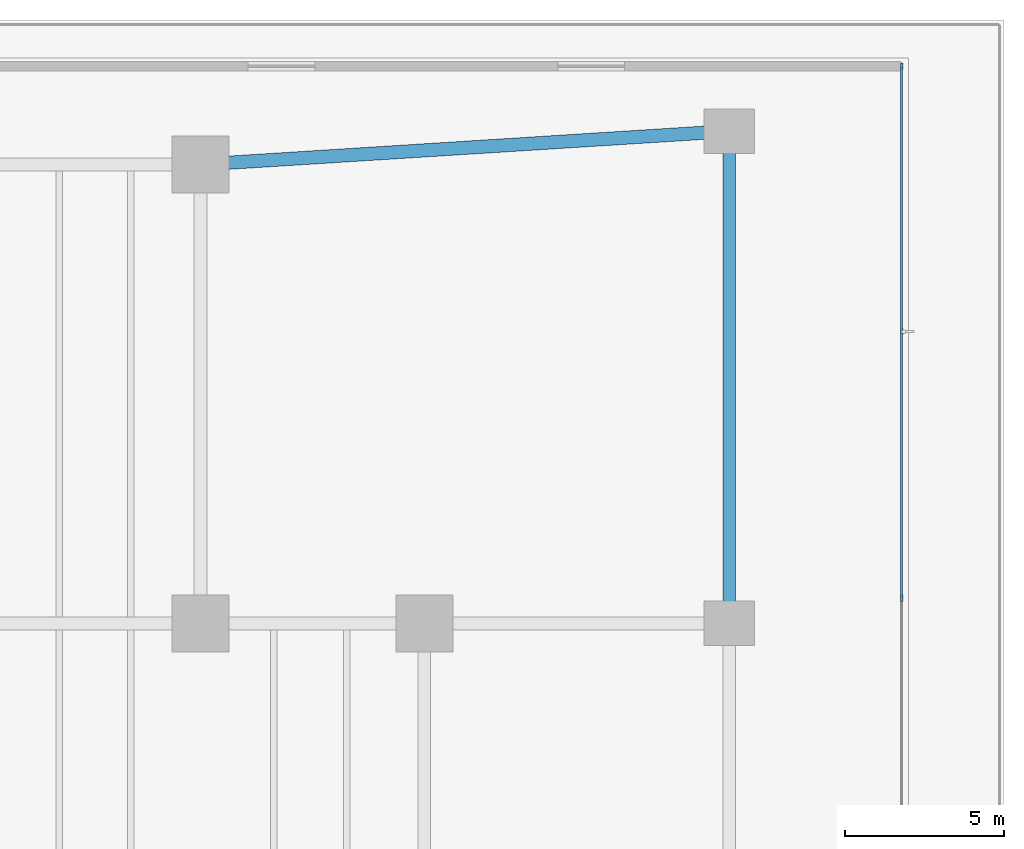
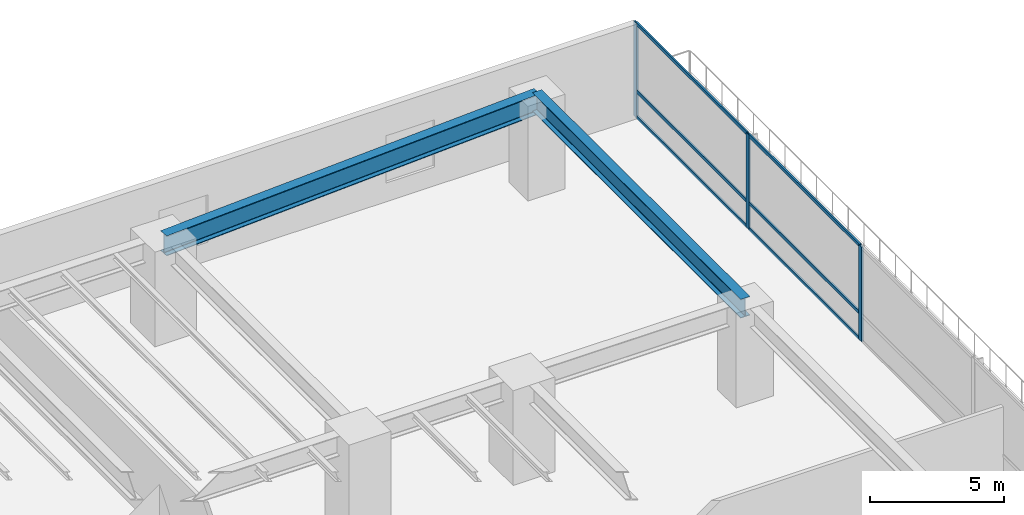
# One storey, part 8 of 27: 9 members, 2 beams, 1 element without a shape of its own.
"""IFC4 building model written with IfcOpenShell, lengths in metres."""

from ifc_helpers import new_model, si_unit, direction, frame, origin, origin_2d, place, context, subcontext, project, spatial, rectangle, i_section, extrude, material, layer, layer_set, material_profile, profile_set, type_object, element, aggregate, save


model = new_model("IFC4")

# Units and contexts
model_context = context("Model", 3, precision=1e-05, world=origin(), true_north=direction((0.0, 1.0)))
body_context = subcontext(model_context, "Body", "Model", "MODEL_VIEW")
ifc_project = project(units=[si_unit("LENGTHUNIT", "METRE"), si_unit("AREAUNIT", "SQUARE_METRE"), si_unit("VOLUMEUNIT", "CUBIC_METRE"), si_unit("PLANEANGLEUNIT", "RADIAN"), si_unit("MASSUNIT", "GRAM", prefix="KILO")], contexts=[model_context])

# Site, building, storey
site_placement = place(None, origin())
site = spatial("IfcSite", under=ifc_project, at=site_placement, CompositionType="ELEMENT")
building_placement = place(site_placement, origin())
building = spatial("IfcBuilding", under=site, at=building_placement, Name="Qalmaran Belvedere Hotel", CompositionType="ELEMENT")
storey_placement = place(building_placement, frame((0.0, 0.0, 5.39990234375)))
storey = spatial("IfcBuildingStorey", under=building, at=storey_placement, Name="L01", CompositionType="ELEMENT", Elevation=5.39990234375)

# Beams
ifc_material_1 = material(Name="Steel S355JR", Category="steel")
ifc_material_profile_1 = material_profile(ifc_material_1, i_section(OverallWidth=0.41796875, OverallDepth=0.912109375, WebThickness=0.019287109375, FlangeThickness=0.031982421875, FilletRadius=0.02392578125, at=origin_2d()), Name="W920X342")
ifc_profile_set_1 = profile_set([ifc_material_profile_1], Name="Steel S355JR")
beam_type_1 = type_object("IfcBeamType", Name="BM-PG2-W920X342", PredefinedType="USERDEFINED", material=ifc_profile_set_1)
beam_1_placement = place(storey_placement, frame((53.699951171875, 47.449951171875, 3.843994140625), z_axis=(0.998017287437, 0.0629404002, 0.0), x_axis=(-0.0629404002, 0.998017287437, 0.0)))
element("IfcBeam", 1, at=beam_1_placement, inside=storey, type_object=beam_type_1, Name="L01 Podium Primary Girder GX31", ObjectType="GIRDER", PredefinedType="USERDEFINED", context=body_context, shape_type="SweptSolid", body=[
    extrude(i_section(OverallWidth=0.41796875, OverallDepth=0.912109375, WebThickness=0.019287109375, FlangeThickness=0.031982421875, FilletRadius=0.02392578125, at=origin_2d()), origin(), (0.0, 0.0, 1.0), 16.68310546875),
])
ifc_material_profile_2 = material_profile(ifc_material_1, i_section(OverallWidth=0.39990234375, OverallDepth=0.85498046875, WebThickness=0.018310546875, FlangeThickness=0.029296875, FilletRadius=0.02392578125, at=origin_2d()), Name="W840X299")
ifc_profile_set_2 = profile_set([ifc_material_profile_2], Name="Steel S355JR")
beam_type_2 = type_object("IfcBeamType", Name="BM-PG3-W840X299", PredefinedType="USERDEFINED", material=ifc_profile_set_2)
beam_2_placement = place(storey_placement, frame((70.35009765625, 33.0, 3.87255859375), z_axis=(0.0, 1.0, 0.0), x_axis=(-1.0, 0.0, 0.0)))
element("IfcBeam", 2, at=beam_2_placement, inside=storey, type_object=beam_type_2, Name="L01 Podium Transverse Girder GY57", ObjectType="GIRDER", PredefinedType="USERDEFINED", context=body_context, shape_type="SweptSolid", body=[
    extrude(i_section(OverallWidth=0.39990234375, OverallDepth=0.85498046875, WebThickness=0.018310546875, FlangeThickness=0.029296875, FilletRadius=0.02392578125, at=origin_2d()), origin(), (0.0, 0.0, 1.0), 15.5),
])

# Curtain wall, members
ifc_material_2 = material(Name="Anodised Bronze Aluminium", Category="aluminium")
ifc_layer = layer(ifc_material_2, 0.219970703125, Name="Anodised Bronze Aluminium")
ifc_layer_set = layer_set([ifc_layer], Name="Anodised Bronze Aluminium")
curtain_wall_type = type_object("IfcCurtainWallType", Name="CW1-PODIUM-BRONZE", PredefinedType="NOTDEFINED", material=ifc_layer_set)
curtain_wall_placement = place(storey_placement, origin())
curtain_wall = element("IfcCurtainWall", 3, at=curtain_wall_placement, inside=storey, type_object=curtain_wall_type, Name="L01 Curtain Wall CW1", PredefinedType="NOTDEFINED")
ifc_material_profile_3 = material_profile(ifc_material_2, rectangle(XDim=0.074951171875, YDim=0.219970703125, at=origin_2d()), Name="CWM75X220")
ifc_profile_set_3 = profile_set([ifc_material_profile_3], Name="Anodised Bronze Aluminium")
member_type_1 = type_object("IfcMemberType", Name="CWM-75X220", PredefinedType="MULLION", material=ifc_profile_set_3)
member_1_placement = place(storey_placement, frame((75.780029296875, 33.793212890625, 0.0), z_axis=(0.0, 0.0, 1.0), x_axis=(-1.0, 0.0, 0.0)))
member_1 = element("IfcMember", 4, at=member_1_placement, type_object=member_type_1, Name="CW1 mullion 5", PredefinedType="MULLION", context=body_context, shape_type="SweptSolid", body=[
    extrude(rectangle(XDim=0.074951171875, YDim=0.219970703125, at=origin_2d()), origin(), (0.0, 0.0, 1.0), 4.300048828125),
])
member_2_placement = place(storey_placement, frame((75.780029296875, 42.186767578125, 0.0), z_axis=(0.0, 0.0, 1.0), x_axis=(-1.0, 0.0, 0.0)))
member_2 = element("IfcMember", 5, at=member_2_placement, type_object=member_type_1, Name="CW1 mullion 6", PredefinedType="MULLION", context=body_context, shape_type="SweptSolid", body=[
    extrude(rectangle(XDim=0.074951171875, YDim=0.219970703125, at=origin_2d()), origin(), (0.0, 0.0, 1.0), 4.300048828125),
])
member_3_placement = place(storey_placement, frame((75.780029296875, 50.54248046875, 0.0), z_axis=(0.0, 0.0, 1.0), x_axis=(-1.0, 0.0, 0.0)))
member_3 = element("IfcMember", 6, at=member_3_placement, type_object=member_type_1, Name="CW1 mullion 7", PredefinedType="MULLION", context=body_context, shape_type="SweptSolid", body=[
    extrude(rectangle(XDim=0.074951171875, YDim=0.219970703125, at=origin_2d()), origin(), (0.0, 0.0, 1.0), 4.300048828125),
])
ifc_material_profile_4 = material_profile(ifc_material_2, rectangle(XDim=0.070068359375, YDim=0.14990234375, at=origin_2d()), Name="CWT70X150")
ifc_profile_set_4 = profile_set([ifc_material_profile_4], Name="Anodised Bronze Aluminium")
member_type_2 = type_object("IfcMemberType", Name="CWT-70X150", PredefinedType="USERDEFINED", material=ifc_profile_set_4)
member_4_placement = place(storey_placement, frame((75.780029296875, 33.830810546875, 0.03515625), z_axis=(0.0, 1.0, 0.0), x_axis=(-1.0, 0.0, 0.0)))
member_4 = element("IfcMember", 7, at=member_4_placement, type_object=member_type_2, Name="CW1 transom 5.1", ObjectType="TRANSOM", PredefinedType="USERDEFINED", context=body_context, shape_type="SweptSolid", body=[
    extrude(rectangle(XDim=0.070068359375, YDim=0.14990234375, at=origin_2d()), origin(), (0.0, 0.0, 1.0), 8.318359375),
])
member_5_placement = place(storey_placement, frame((75.780029296875, 33.830810546875, 1.2041015625), z_axis=(0.0, 1.0, 0.0), x_axis=(-1.0, 0.0, 0.0)))
member_5 = element("IfcMember", 8, at=member_5_placement, type_object=member_type_2, Name="CW1 transom 5.2", ObjectType="TRANSOM", PredefinedType="USERDEFINED", context=body_context, shape_type="SweptSolid", body=[
    extrude(rectangle(XDim=0.070068359375, YDim=0.14990234375, at=origin_2d()), origin(), (0.0, 0.0, 1.0), 8.318359375),
])
member_6_placement = place(storey_placement, frame((75.780029296875, 33.830810546875, 4.26513671875), z_axis=(0.0, 1.0, 0.0), x_axis=(-1.0, 0.0, 0.0)))
member_6 = element("IfcMember", 9, at=member_6_placement, type_object=member_type_2, Name="CW1 transom 5.3", ObjectType="TRANSOM", PredefinedType="USERDEFINED", context=body_context, shape_type="SweptSolid", body=[
    extrude(rectangle(XDim=0.070068359375, YDim=0.14990234375, at=origin_2d()), origin(), (0.0, 0.0, 1.0), 8.318359375),
])
member_7_placement = place(storey_placement, frame((75.780029296875, 42.22412109375, 0.03515625), z_axis=(0.0, 1.0, 0.0), x_axis=(-1.0, 0.0, 0.0)))
member_7 = element("IfcMember", 10, at=member_7_placement, type_object=member_type_2, Name="CW1 transom 6.1", ObjectType="TRANSOM", PredefinedType="USERDEFINED", context=body_context, shape_type="SweptSolid", body=[
    extrude(rectangle(XDim=0.070068359375, YDim=0.14990234375, at=origin_2d()), origin(), (0.0, 0.0, 1.0), 8.28076171875),
])
member_8_placement = place(storey_placement, frame((75.780029296875, 42.22412109375, 1.2041015625), z_axis=(0.0, 1.0, 0.0), x_axis=(-1.0, 0.0, 0.0)))
member_8 = element("IfcMember", 11, at=member_8_placement, type_object=member_type_2, Name="CW1 transom 6.2", ObjectType="TRANSOM", PredefinedType="USERDEFINED", context=body_context, shape_type="SweptSolid", body=[
    extrude(rectangle(XDim=0.070068359375, YDim=0.14990234375, at=origin_2d()), origin(), (0.0, 0.0, 1.0), 8.28076171875),
])
member_9_placement = place(storey_placement, frame((75.780029296875, 42.22412109375, 4.26513671875), z_axis=(0.0, 1.0, 0.0), x_axis=(-1.0, 0.0, 0.0)))
member_9 = element("IfcMember", 12, at=member_9_placement, type_object=member_type_2, Name="CW1 transom 6.3", ObjectType="TRANSOM", PredefinedType="USERDEFINED", context=body_context, shape_type="SweptSolid", body=[
    extrude(rectangle(XDim=0.070068359375, YDim=0.14990234375, at=origin_2d()), origin(), (0.0, 0.0, 1.0), 8.28076171875),
])
aggregate(curtain_wall, [member_1, member_2, member_3, member_4, member_5, member_6, member_7, member_8, member_9])

save(model, "model.ifc")
